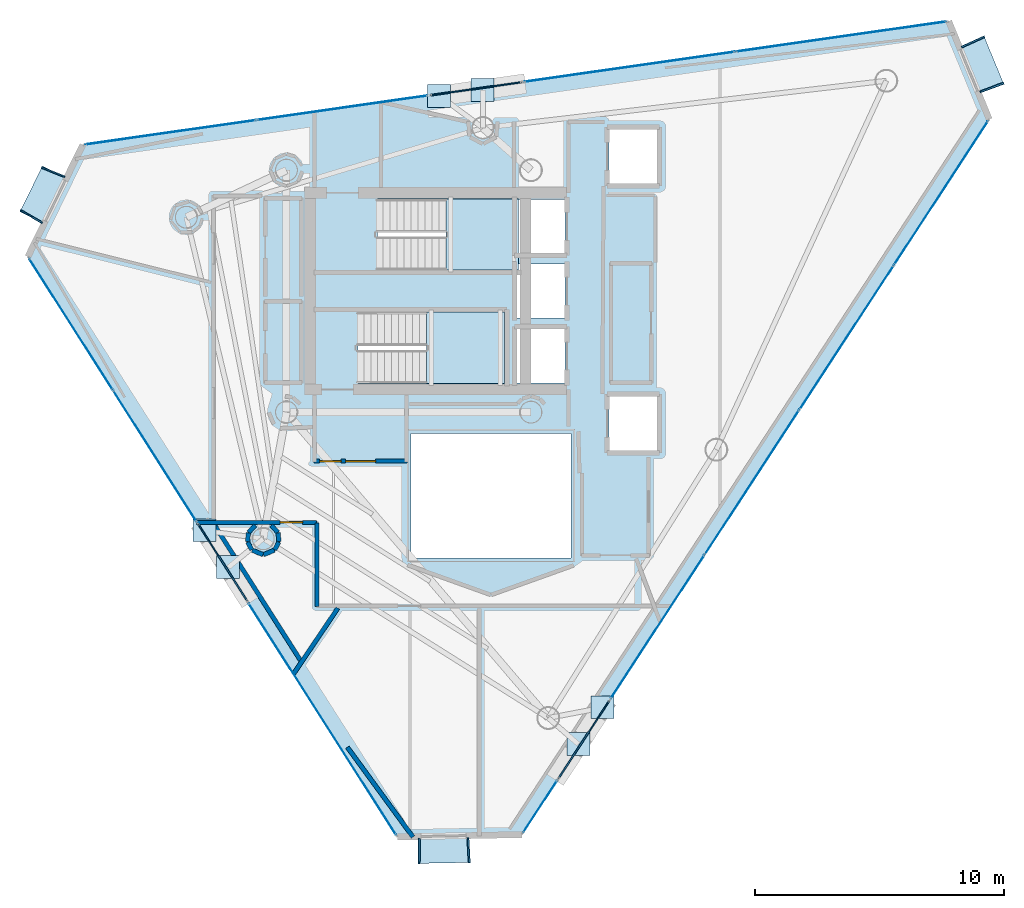
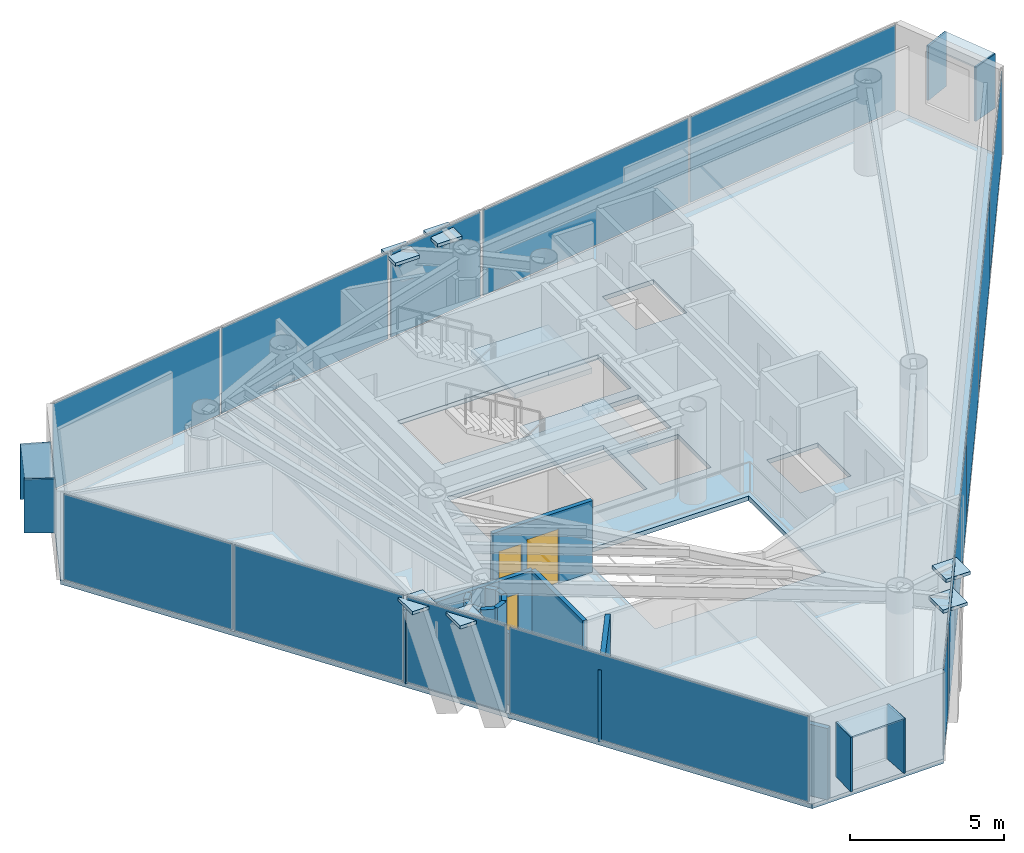
# One storey, part 19 of 25: 30 plates, 14 walls, 3 doors, 3 slabs, 3 openings, 11 elements without a shape of their own.
"""IFC4 building model written with IfcOpenShell, lengths in metres."""

from ifc_helpers import new_model, si_unit, direction, frame, frame_2d, origin, origin_2d, place, context, subcontext, project, spatial, polyline, rectangle, outline, extrude, material, layer, layer_set, type_object, element, fill, aggregate, save


model = new_model("IFC4")

# Units and contexts
model_context = context("Model", 3, precision=1e-05, world=origin(), true_north=direction((0.0, 1.0)))
body_context = subcontext(model_context, "Body", "Model", "MODEL_VIEW")
ifc_project = project(units=[si_unit("LENGTHUNIT", "METRE"), si_unit("AREAUNIT", "SQUARE_METRE"), si_unit("VOLUMEUNIT", "CUBIC_METRE"), si_unit("PLANEANGLEUNIT", "RADIAN"), si_unit("MASSUNIT", "GRAM", prefix="KILO")], contexts=[model_context])

# Site, building, storey
site_placement = place(None, origin())
site = spatial("IfcSite", under=ifc_project, at=site_placement, CompositionType="ELEMENT")
building_placement = place(site_placement, origin())
building = spatial("IfcBuilding", under=site, at=building_placement, Name="Qianvela Tower", CompositionType="ELEMENT")
storey_placement = place(building_placement, frame((0.0, 0.0, 288.0)))
storey = spatial("IfcBuildingStorey", under=building, at=storey_placement, Name="L74", CompositionType="ELEMENT", Elevation=288.0)

# Curtain wall, plate
ifc_material_1 = material(Name="Anodised Architectural Aluminium and Insulated Spandrel Panel", Category="aluminium")
ifc_layer_1 = layer(ifc_material_1, 0.179931640625)
ifc_layer_set_1 = layer_set([ifc_layer_1], Name="Anodised Architectural Aluminium and Insulated Spandrel Panel")
curtain_wall_type_1 = type_object("IfcCurtainWallType", Name="CW-BRACEBAY", PredefinedType="USERDEFINED", material=ifc_layer_set_1)
curtain_wall_1_placement = place(storey_placement, origin())
curtain_wall_1 = element("IfcCurtainWall", 1, at=curtain_wall_1_placement, inside=storey, type_object=curtain_wall_type_1, Name="L74 CW-BRACEBAY Curtain Wall 02B", ObjectType="CURTAIN_WALL_SYSTEM", PredefinedType="USERDEFINED")
ifc_material_2 = material(Name="Insulated Aluminium Spandrel Panel with Mineral-Wool Backpan", Category="aluminium")
ifc_layer_2 = layer(ifc_material_2, 0.06005859375)
ifc_layer_set_2 = layer_set([ifc_layer_2], Name="Insulated Aluminium Spandrel Panel with Mineral-Wool Backpan")
plate_type_1 = type_object("IfcPlateType", Name="CW-BRACEBAY-PNL", PredefinedType="CURTAIN_PANEL", material=ifc_layer_set_2)
plate_1_placement = place(storey_placement, frame((36.200439453125, 36.814453125, 0.06494140625), z_axis=(0.0, 0.0, 1.0), x_axis=(-0.989954205184, -0.14138837165, 0.0)))
plate_1 = element("IfcPlate", 2, at=plate_1_placement, type_object=plate_type_1, Name="CW-9 panel 1.1", PredefinedType="CURTAIN_PANEL", context=body_context, shape_type="SweptSolid", body=[
    extrude(rectangle(XDim=3.68994140625, YDim=0.06005859375, at=origin_2d()), origin(), (0.0, 0.0, 1.0), 3.389892578125),
])
aggregate(curtain_wall_1, [plate_1])

curtain_wall_2_placement = place(storey_placement, origin())
curtain_wall_2 = element("IfcCurtainWall", 3, at=curtain_wall_2_placement, inside=storey, type_object=curtain_wall_type_1, Name="L74 CW-BRACEBAY Curtain Wall 04B", ObjectType="CURTAIN_WALL_SYSTEM", PredefinedType="USERDEFINED")
plate_2_placement = place(storey_placement, frame((26.041015625, 17.826171875, 0.06494140625), z_axis=(0.0, 0.0, 1.0), x_axis=(0.536981618794, -0.843593943243, 0.0)))
plate_2 = element("IfcPlate", 4, at=plate_2_placement, type_object=plate_type_1, Name="CW-9 panel 1.1", PredefinedType="CURTAIN_PANEL", context=body_context, shape_type="SweptSolid", body=[
    extrude(rectangle(XDim=3.64990234375, YDim=0.06005859375, at=origin_2d()), origin(), (0.0, 0.0, 1.0), 3.389892578125),
])
aggregate(curtain_wall_2, [plate_2])

curtain_wall_3_placement = place(storey_placement, origin())
curtain_wall_3 = element("IfcCurtainWall", 5, at=curtain_wall_3_placement, inside=storey, type_object=curtain_wall_type_1, Name="L74 CW-BRACEBAY Curtain Wall 06B", ObjectType="CURTAIN_WALL_SYSTEM", PredefinedType="USERDEFINED")
plate_3_placement = place(storey_placement, frame((40.522705078125, 10.72021484375, 0.06494140625), z_axis=(0.0, 0.0, 1.0), x_axis=(0.547097405088, 0.837068951369, 0.0)))
plate_3 = element("IfcPlate", 6, at=plate_3_placement, type_object=plate_type_1, Name="CW-9 panel 1.1", PredefinedType="CURTAIN_PANEL", context=body_context, shape_type="SweptSolid", body=[
    extrude(rectangle(XDim=3.699951171875, YDim=0.06005859375, at=origin_2d()), origin(), (0.0, 0.0, 1.0), 3.389892578125),
])
aggregate(curtain_wall_3, [plate_3])

# Curtain wall, plates
ifc_material_3 = material(Name="Anodised Architectural Aluminium and Low-E Glass", Category="aluminium")
ifc_layer_3 = layer(ifc_material_3, 0.14990234375)
ifc_layer_set_3 = layer_set([ifc_layer_3], Name="Anodised Architectural Aluminium and Low-E Glass")
curtain_wall_type_2 = type_object("IfcCurtainWallType", Name="CW-COLIV-Z78", PredefinedType="USERDEFINED", material=ifc_layer_set_3)
curtain_wall_4_placement = place(storey_placement, origin())
curtain_wall_4 = element("IfcCurtainWall", 7, at=curtain_wall_4_placement, inside=storey, type_object=curtain_wall_type_2, Name="L74 CW-COLIV-Z78 Curtain Wall 02A", ObjectType="CURTAIN_WALL_SYSTEM", PredefinedType="USERDEFINED")
ifc_material_4 = material(Name="Double-Silver Low-E Insulated Glass", Category="glass")
ifc_layer_4 = layer(ifc_material_4, 0.02587890625)
ifc_layer_set_4 = layer_set([ifc_layer_4], Name="Double-Silver Low-E Insulated Glass")
plate_type_2 = type_object("IfcPlateType", Name="CW-COLIV-Z78-PNL", PredefinedType="CURTAIN_PANEL", material=ifc_layer_set_4)
plate_4_placement = place(storey_placement, frame((50.83203125, 38.90380859375, 0.06005859375), z_axis=(0.0, 0.0, 1.0), x_axis=(-0.989957990117, -0.14136186828, 0.0)))
plate_4 = element("IfcPlate", 8, at=plate_4_placement, type_object=plate_type_2, Name="CW-6 panel 1.1", PredefinedType="CURTAIN_PANEL", context=body_context, shape_type="SweptSolid", body=[
    extrude(rectangle(XDim=8.5, YDim=0.02587890625, at=origin_2d()), origin(), (0.0, 0.0, 1.0), 3.39990234375),
])
plate_5_placement = place(storey_placement, frame((42.35791015625, 37.69384765625, 0.06005859375), z_axis=(0.0, 0.0, 1.0), x_axis=(-0.989957990117, -0.14136186828, 0.0)))
plate_5 = element("IfcPlate", 9, at=plate_5_placement, type_object=plate_type_2, Name="CW-6 panel 2.1", PredefinedType="CURTAIN_PANEL", context=body_context, shape_type="SweptSolid", body=[
    extrude(rectangle(XDim=8.5, YDim=0.02587890625, at=origin_2d()), origin(), (0.0, 0.0, 1.0), 3.39990234375),
])
aggregate(curtain_wall_4, [plate_4, plate_5])

curtain_wall_5_placement = place(storey_placement, origin())
curtain_wall_5 = element("IfcCurtainWall", 10, at=curtain_wall_5_placement, inside=storey, type_object=curtain_wall_type_2, Name="L74 CW-COLIV-Z78 Curtain Wall 02C", ObjectType="CURTAIN_WALL_SYSTEM", PredefinedType="USERDEFINED")
plate_6_placement = place(storey_placement, frame((30.8388671875, 36.048828125, 0.06005859375), z_axis=(0.0, 0.0, 1.0), x_axis=(-0.989957942117, -0.141362204424, 0.0)))
plate_6 = element("IfcPlate", 11, at=plate_6_placement, type_object=plate_type_2, Name="CW-6 panel 1.1", PredefinedType="CURTAIN_PANEL", context=body_context, shape_type="SweptSolid", body=[
    extrude(rectangle(XDim=6.89208984375, YDim=0.02587890625, at=origin_2d()), origin(), (0.0, 0.0, 1.0), 3.39990234375),
])
plate_7_placement = place(storey_placement, frame((23.95654296875, 35.06591796875, 0.06005859375), z_axis=(0.0, 0.0, 1.0), x_axis=(-0.989957942117, -0.141362204424, 0.0)))
plate_7 = element("IfcPlate", 12, at=plate_7_placement, type_object=plate_type_2, Name="CW-6 panel 2.1", PredefinedType="CURTAIN_PANEL", context=body_context, shape_type="SweptSolid", body=[
    extrude(rectangle(XDim=6.89208984375, YDim=0.02587890625, at=origin_2d()), origin(), (0.0, 0.0, 1.0), 3.39990234375),
])
aggregate(curtain_wall_5, [plate_6, plate_7])

curtain_wall_6_placement = place(storey_placement, origin())
curtain_wall_6 = element("IfcCurtainWall", 13, at=curtain_wall_6_placement, inside=storey, type_object=curtain_wall_type_2, Name="L74 CW-COLIV-Z78 Curtain Wall 04A", ObjectType="CURTAIN_WALL_SYSTEM", PredefinedType="USERDEFINED")
plate_8_placement = place(storey_placement, frame((19.96337890625, 27.373291015625, 0.06005859375), z_axis=(0.0, 0.0, 1.0), x_axis=(0.537007570388, -0.843577423445, 0.0)))
plate_8 = element("IfcPlate", 14, at=plate_8_placement, type_object=plate_type_2, Name="CW-6 panel 1.1", PredefinedType="CURTAIN_PANEL", context=body_context, shape_type="SweptSolid", body=[
    extrude(rectangle(XDim=6.205078125, YDim=0.02587890625, at=origin_2d()), origin(), (0.0, 0.0, 1.0), 3.39990234375),
])
plate_9_placement = place(storey_placement, frame((23.327880859375, 22.08837890625, 0.06005859375), z_axis=(0.0, 0.0, 1.0), x_axis=(0.537007570388, -0.843577423445, 0.0)))
plate_9 = element("IfcPlate", 15, at=plate_9_placement, type_object=plate_type_2, Name="CW-6 panel 2.1", PredefinedType="CURTAIN_PANEL", context=body_context, shape_type="SweptSolid", body=[
    extrude(rectangle(XDim=6.205078125, YDim=0.02587890625, at=origin_2d()), origin(), (0.0, 0.0, 1.0), 3.39990234375),
])
aggregate(curtain_wall_6, [plate_8, plate_9])

# Curtain wall, plate
curtain_wall_7_placement = place(storey_placement, origin())
curtain_wall_7 = element("IfcCurtainWall", 16, at=curtain_wall_7_placement, inside=storey, type_object=curtain_wall_type_2, Name="L74 CW-COLIV-Z78 Curtain Wall 04C", ObjectType="CURTAIN_WALL_SYSTEM", PredefinedType="USERDEFINED")
plate_10_placement = place(storey_placement, frame((30.0380859375, 11.547119140625, 0.06005859375), z_axis=(0.0, 0.0, 1.0), x_axis=(0.537008899436, -0.843576577393, 0.0)))
plate_10 = element("IfcPlate", 17, at=plate_10_placement, type_object=plate_type_2, Name="CW-6 panel 1.1", PredefinedType="CURTAIN_PANEL", context=body_context, shape_type="SweptSolid", body=[
    extrude(rectangle(XDim=10.986572265625, YDim=0.02587890625, at=origin_2d()), origin(), (0.0, 0.0, 1.0), 3.39990234375),
])
aggregate(curtain_wall_7, [plate_10])

curtain_wall_8_placement = place(storey_placement, origin())
curtain_wall_8 = element("IfcCurtainWall", 18, at=curtain_wall_8_placement, inside=storey, type_object=curtain_wall_type_2, Name="L74 CW-COLIV-Z78 Curtain Wall 06A", ObjectType="CURTAIN_WALL_SYSTEM", PredefinedType="USERDEFINED")
plate_11_placement = place(storey_placement, frame((38.769287109375, 8.037353515625, 0.06005859375), z_axis=(0.0, 0.0, 1.0), x_axis=(0.547073901839, 0.837084312317, 0.0)))
plate_11 = element("IfcPlate", 19, at=plate_11_placement, type_object=plate_type_2, Name="CW-6 panel 1.1", PredefinedType="CURTAIN_PANEL", context=body_context, shape_type="SweptSolid", body=[
    extrude(rectangle(XDim=2.4599609375, YDim=0.02587890625, at=origin_2d()), origin(), (0.0, 0.0, 1.0), 3.39990234375),
])
aggregate(curtain_wall_8, [plate_11])

# Curtain wall, plates
curtain_wall_9_placement = place(storey_placement, origin())
curtain_wall_9 = element("IfcCurtainWall", 20, at=curtain_wall_9_placement, inside=storey, type_object=curtain_wall_type_2, Name="L74 CW-COLIV-Z78 Curtain Wall 06C", ObjectType="CURTAIN_WALL_SYSTEM", PredefinedType="USERDEFINED")
plate_12_placement = place(storey_placement, frame((43.4755859375, 15.238525390625, 0.06005859375), z_axis=(0.0, 0.0, 1.0), x_axis=(0.547081230424, 0.837079522696, 0.0)))
plate_12 = element("IfcPlate", 21, at=plate_12_placement, type_object=plate_type_2, Name="CW-6 panel 1.1", PredefinedType="CURTAIN_PANEL", context=body_context, shape_type="SweptSolid", body=[
    extrude(rectangle(XDim=6.84521484375, YDim=0.02587890625, at=origin_2d()), origin(), (0.0, 0.0, 1.0), 3.39990234375),
])
plate_13_placement = place(storey_placement, frame((47.261474609375, 21.03125, 0.06005859375), z_axis=(0.0, 0.0, 1.0), x_axis=(0.547081230424, 0.837079522696, 0.0)))
plate_13 = element("IfcPlate", 22, at=plate_13_placement, type_object=plate_type_2, Name="CW-6 panel 2.1", PredefinedType="CURTAIN_PANEL", context=body_context, shape_type="SweptSolid", body=[
    extrude(rectangle(XDim=6.875244140625, YDim=0.02587890625, at=origin_2d()), origin(), (0.0, 0.0, 1.0), 3.39990234375),
])
plate_14_placement = place(storey_placement, frame((51.0556640625, 26.83642578125, 0.06005859375), z_axis=(0.0, 0.0, 1.0), x_axis=(0.547081230424, 0.837079522696, 0.0)))
plate_14 = element("IfcPlate", 23, at=plate_14_placement, type_object=plate_type_2, Name="CW-6 panel 3.1", PredefinedType="CURTAIN_PANEL", context=body_context, shape_type="SweptSolid", body=[
    extrude(rectangle(XDim=6.875244140625, YDim=0.02587890625, at=origin_2d()), origin(), (0.0, 0.0, 1.0), 3.39990234375),
])
plate_15_placement = place(storey_placement, frame((54.841552734375, 32.62939453125, 0.06005859375), z_axis=(0.0, 0.0, 1.0), x_axis=(0.547081230424, 0.837079522696, 0.0)))
plate_15 = element("IfcPlate", 24, at=plate_15_placement, type_object=plate_type_2, Name="CW-6 panel 4.1", PredefinedType="CURTAIN_PANEL", context=body_context, shape_type="SweptSolid", body=[
    extrude(rectangle(XDim=6.84521484375, YDim=0.02587890625, at=origin_2d()), origin(), (0.0, 0.0, 1.0), 3.39990234375),
])
aggregate(curtain_wall_9, [plate_12, plate_13, plate_14, plate_15])

# Plates
ifc_material_5 = material(Name="Steel Q420GJC", Category="steel")
ifc_layer_5 = layer(ifc_material_5, 0.1298828125)
ifc_layer_set_5 = layer_set([ifc_layer_5], Name="Steel Q420GJC")
plate_type_3 = type_object("IfcPlateType", Name="PT-ENDCAP-130", PredefinedType="USERDEFINED", material=ifc_layer_set_5)
for number, where, z_axis, x_axis, name in (
    (25, (36.45947265625, 36.7705078125, 3.20947265625), (0.0, 0.0, 1.0), (1.0, 0.0, 0.0), "L74 Hollow Section End Cap Plate B"),
    (26, (34.724609375, 36.522705078125, 3.20947265625), (0.0, 0.0, 1.0), (1.0, 0.0, 0.0), "L74 Hollow Section End Cap Plate B"),
    (27, (25.3154296875, 19.115234375, 3.209716796875), (0.0, 0.0, 1.0), (1.0, 0.0, 0.0), "L74 Hollow Section End Cap Plate B"),
    (28, (26.256591796875, 17.63671875, 3.209716796875), (0.0, 0.0, 1.0), (1.0, 0.0, 0.0), "L74 Hollow Section End Cap Plate B"),
    (29, (40.31689453125, 10.551513671875, 3.20947265625), (0.0, 0.0, 1.0), (1.0, 0.0, 0.0), "L74 Hollow Section End Cap Plate B"),
    (30, (41.27587890625, 12.018798828125, 3.20947265625), (0.0, 0.0, 1.0), (1.0, 0.0, 0.0), "L74 Hollow Section End Cap Plate B"),
):
    element("IfcPlate", number, at=place(storey_placement, frame(where, z_axis=z_axis, x_axis=x_axis)), inside=storey, type_object=plate_type_3, Name=name, ObjectType="END_CAP", PredefinedType="USERDEFINED", context=body_context, shape_type="SweptSolid", body=[
        extrude(rectangle(XDim=0.919921875, YDim=0.919921875, at=origin_2d()), origin(), (0.0, 0.0, 1.0), 0.1298828125),
    ])

# Slab
ifc_material_6 = material(Name="Concrete C40", Category="concrete")
ifc_layer_6 = layer(ifc_material_6, 0.179931640625)
ifc_layer_set_6 = layer_set([ifc_layer_6], Name="Concrete C40")
slab_type_1 = type_object("IfcSlabType", Name="SL-FLOOR-180", PredefinedType="FLOOR", material=ifc_layer_set_6)
slab_1_placement = place(storey_placement, frame((0.0, 0.0, -0.179931640625)))
element("IfcSlab", 31, at=slab_1_placement, inside=storey, type_object=slab_type_1, Name="L74 Composite Structural Floor Slab", PredefinedType="FLOOR", context=body_context, shape_type="SweptSolid", body=[
    extrude(outline(polyline([(56.7744140625, 35.58642578125), (55.148193359375, 39.520263671875), (20.436279296875, 34.563232421875), (18.23828125, 30.08349609375), (33.047119140625, 6.8203125), (38.0361328125, 6.915771484375), (56.7744140625, 35.58642578125)]), holes=[polyline([(40.0, 23.0), (33.60009765625, 23.0), (33.60009765625, 18.0), (40.0, 18.0), (40.0, 23.0)]), polyline([(43.4599609375, 24.47998046875), (41.5400390625, 24.47998046875), (41.5400390625, 22.320068359375), (43.4599609375, 22.320068359375), (43.4599609375, 24.47998046875)]), polyline([(39.760009765625, 27.179931640625), (37.840087890625, 27.179931640625), (37.840087890625, 25.02001953125), (39.760009765625, 25.02001953125), (39.760009765625, 27.179931640625)]), polyline([(37.35009765625, 27.860107421875), (31.469970703125, 27.860107421875), (31.469970703125, 25.0), (37.35009765625, 25.0), (37.35009765625, 27.860107421875)]), polyline([(39.760009765625, 27.6201171875), (39.760009765625, 29.780029296875), (37.89990234375, 29.780029296875), (37.89990234375, 30.219970703125), (39.760009765625, 30.219970703125), (39.760009765625, 32.3798828125), (37.89990234375, 32.3798828125), (37.89990234375, 32.39990234375), (32.25, 32.39990234375), (32.25, 29.5400390625), (37.840087890625, 29.5400390625), (37.840087890625, 27.6201171875), (39.760009765625, 27.6201171875)]), polyline([(43.4599609375, 35.179931640625), (41.5400390625, 35.179931640625), (41.5400390625, 33.02001953125), (43.4599609375, 33.02001953125), (43.4599609375, 35.179931640625)])]), origin(), (0.0, 0.0, 1.0), 0.179931640625),
])

# Stair, slab
ifc_material_7 = material(Name="Concrete C40", Category="concrete")
stair_type = type_object("IfcStairType", Name="ST-DOGLEG-1350-R168-N22", PredefinedType="HALF_TURN_STAIR", material=ifc_material_7)
stair_1_placement = place(storey_placement, origin())
stair_1 = element("IfcStair", 32, at=stair_1_placement, inside=storey, type_object=stair_type, Name="L74 Smoke-Proof Core Stair ST-1", PredefinedType="HALF_TURN_STAIR")
ifc_material_8 = material(Name="Concrete C40", Category="concrete")
ifc_layer_7 = layer(ifc_material_8, 0.199951171875)
ifc_layer_set_7 = layer_set([ifc_layer_7], Name="Concrete C40")
slab_type_2 = type_object("IfcSlabType", Name="SL-STAIR-LANDING-200", PredefinedType="LANDING", material=ifc_layer_set_7)
slab_2_placement = place(storey_placement, frame((0.0, 0.0, 1.64990234375)))
slab_2 = element("IfcSlab", 33, at=slab_2_placement, type_object=slab_type_2, Name="ST-1 landing 1", PredefinedType="LANDING", context=body_context, shape_type="SweptSolid", body=[
    extrude(outline(polyline([(35.0, 29.5400390625), (37.89990234375, 29.5400390625), (37.89990234375, 32.39990234375), (35.0, 32.39990234375), (35.0, 29.5400390625)])), origin(), (0.0, 0.0, 1.0), 0.2001953125),
])
aggregate(stair_1, [slab_2])

stair_2_placement = place(storey_placement, origin())
stair_2 = element("IfcStair", 34, at=stair_2_placement, inside=storey, type_object=stair_type, Name="L74 Smoke-Proof Core Stair ST-2", PredefinedType="HALF_TURN_STAIR")
slab_3_placement = place(storey_placement, frame((0.0, 0.0, 1.64990234375)))
slab_3 = element("IfcSlab", 35, at=slab_3_placement, type_object=slab_type_2, Name="ST-2 landing 1", PredefinedType="LANDING", context=body_context, shape_type="SweptSolid", body=[
    extrude(outline(polyline([(34.219970703125, 25.0), (37.35009765625, 25.0), (37.35009765625, 27.860107421875), (34.219970703125, 27.860107421875), (34.219970703125, 25.0)])), origin(), (0.0, 0.0, 1.0), 0.2001953125),
])
aggregate(stair_2, [slab_3])

# Plates
ifc_material_9 = material(Name="Vitrified Architectural Terracotta Panel", Category="masonry")
ifc_layer_8 = layer(ifc_material_9, 0.06005859375)
ifc_layer_set_8 = layer_set([ifc_layer_8], Name="Vitrified Architectural Terracotta Panel")
plate_type_4 = type_object("IfcPlateType", Name="TERRACOTTA-SUNSHADE-HOOD-FOLD-A", PredefinedType="USERDEFINED", material=ifc_layer_set_8)
plate_16_placement = place(storey_placement, frame((18.81201171875, 32.5810546875, 2.9599609375), z_axis=(0.0, 0.0, 1.0), x_axis=(-0.440475126449, -0.89776481496, 0.0)))
element("IfcPlate", 36, at=plate_16_placement, inside=storey, type_object=plate_type_4, Name="L74 Terracotta Sunshade Hood FOLD-A", ObjectType="SUNSHADE", PredefinedType="USERDEFINED", context=body_context, shape_type="SweptSolid", body=[
    extrude(rectangle(XDim=2.0400390625, YDim=0.989990234375, at=origin_2d()), origin(), (0.0, 0.0, 1.0), 0.06005859375),
])
ifc_material_10 = material(Name="Vitrified Architectural Terracotta Panel", Category="masonry")
ifc_layer_9 = layer(ifc_material_10, 0.070068359375)
ifc_layer_set_9 = layer_set([ifc_layer_9], Name="Vitrified Architectural Terracotta Panel")
plate_type_5 = type_object("IfcPlateType", Name="TERRACOTTA-SUNSHADE-HOOD-FOLD-C", PredefinedType="USERDEFINED", material=ifc_layer_set_9)
for number, where, z_axis, x_axis, name in (
    (37, (56.501953125, 37.77685546875, 2.9599609375), (0.0, 0.0, 1.0), (-0.38199479977, 0.924164472888, 0.0), "L74 Terracotta Sunshade Hood FOLD-C"),
    (38, (34.912841796875, 6.27099609375, 2.9599609375), (0.0, 0.0, 1.0), (0.999817617008, 0.019097976871, 0.0), "L74 Terracotta Sunshade Hood FOLD-C"),
):
    element("IfcPlate", number, at=place(storey_placement, frame(where, z_axis=z_axis, x_axis=x_axis)), inside=storey, type_object=plate_type_5, Name=name, ObjectType="SUNSHADE", PredefinedType="USERDEFINED", context=body_context, shape_type="SweptSolid", body=[
        extrude(rectangle(XDim=2.0400390625, YDim=0.989990234375, at=origin_2d()), origin(), (0.0, 0.0, 1.0), 0.06005859375),
    ])
ifc_material_11 = material(Name="Vitrified Architectural Terracotta Side Fin Panel", Category="masonry")
ifc_layer_10 = layer(ifc_material_11, 0.06494140625)
ifc_layer_set_10 = layer_set([ifc_layer_10], Name="Vitrified Architectural Terracotta Side Fin Panel")
plate_type_6 = type_object("IfcPlateType", Name="TERRACOTTA-SUNSHADE-STRUT-FOLD-A", PredefinedType="USERDEFINED", material=ifc_layer_set_10)
for number, where, z_axis, x_axis, name in (
    (39, (19.248291015625, 33.4697265625, 0.85009765625), (0.0, 0.0, 1.0), (-0.376777243436, -0.926303896585, 0.0), "L74 Terracotta Sunshade Side Fin HL FOLD-A"),
    (40, (18.3759765625, 31.692138671875, 0.85009765625), (0.0, 0.0, 1.0), (-0.502027058922, -0.864851913399, 0.0), "L74 Terracotta Sunshade Side Fin HR FOLD-A"),
):
    element("IfcPlate", number, at=place(storey_placement, frame(where, z_axis=z_axis, x_axis=x_axis)), inside=storey, type_object=plate_type_6, Name=name, ObjectType="SUNSHADE", PredefinedType="USERDEFINED", context=body_context, shape_type="SweptSolid", body=[
        extrude(rectangle(XDim=0.06494140625, YDim=1.010009765625, at=origin_2d()), origin(), (0.0, 0.0, 1.0), 2.159912109375),
    ])
ifc_material_12 = material(Name="Vitrified Architectural Terracotta Side Fin Panel", Category="masonry")
ifc_layer_11 = layer(ifc_material_12, 0.074951171875)
ifc_layer_set_11 = layer_set([ifc_layer_11], Name="Vitrified Architectural Terracotta Side Fin Panel")
plate_type_7 = type_object("IfcPlateType", Name="TERRACOTTA-SUNSHADE-STRUT-FOLD-C", PredefinedType="USERDEFINED", material=ifc_layer_set_11)
for number, where, z_axis, x_axis, name in (
    (41, (56.880126953125, 36.86181640625, 0.85009765625), (0.0, 0.0, 1.0), (-0.349509223885, 0.936932923116, 0.0), "L74 Terracotta Sunshade Side Fin HL FOLD-C"),
    (42, (56.123779296875, 38.691650390625, 0.85009765625), (0.0, 0.0, 1.0), (-0.414014973833, 0.910270070606, 0.0), "L74 Terracotta Sunshade Side Fin HR FOLD-C"),
    (43, (33.923095703125, 6.251953125, 0.85009765625), (0.0, 0.0, 1.0), (0.999875064911, -0.015806788728, 0.0), "L74 Terracotta Sunshade Side Fin HL FOLD-C"),
    (44, (35.90283203125, 6.289794921875, 0.85009765625), (0.0, 0.0, 1.0), (0.998542045349, 0.053979474528, 0.0), "L74 Terracotta Sunshade Side Fin HR FOLD-C"),
):
    element("IfcPlate", number, at=place(storey_placement, frame(where, z_axis=z_axis, x_axis=x_axis)), inside=storey, type_object=plate_type_7, Name=name, ObjectType="SUNSHADE", PredefinedType="USERDEFINED", context=body_context, shape_type="SweptSolid", body=[
        extrude(rectangle(XDim=0.074951171875, YDim=1.010009765625, at=origin_2d()), origin(), (0.0, 0.0, 1.0), 2.159912109375),
    ])

# Wall, openings, doors
ifc_material_13 = material(Name="Fire-Rated Gypsum and Concrete Block", Category="concrete")
ifc_layer_12 = layer(ifc_material_13, 0.159912109375)
ifc_layer_set_12 = layer_set([ifc_layer_12], Name="Fire-Rated Gypsum and Concrete Block")
wall_type_1 = type_object("IfcWallType", Name="WT-CORR-160", PredefinedType="PARTITIONING", material=ifc_layer_set_12)
wall_1_placement = place(storey_placement, frame((33.449951171875, 21.881103515625, 0.0), z_axis=(0.0, 0.0, 1.0), x_axis=(-1.0, 0.0, 0.0)))
wall_1 = element("IfcWall", 45, at=wall_1_placement, inside=storey, type_object=wall_type_1, Name="L74 Partition 5", PredefinedType="PARTITIONING", context=body_context, shape_type="SweptSolid", body=[
    extrude(rectangle(XDim=3.75, YDim=0.159912109375, at=frame_2d((1.875, 0.0))), origin(), (0.0, 0.0, 1.0), 2.840087890625),
])
opening_1_placement = place(wall_1_placement, frame((1.27490234375, 0.0, 0.0)))
opening_1 = element("IfcOpeningElement", 46, at=opening_1_placement, cuts=wall_1, Name="Opening D-LB1", PredefinedType="OPENING", context=body_context, shape_type="SweptSolid", body=[
    extrude(rectangle(XDim=1.199951171875, YDim=2.14990234375, at=frame_2d((0.60009765625, 1.074951171875))), frame((0.0, 0.08984375, 0.0), z_axis=(0.0, -1.0, 0.0), x_axis=(1.0, 0.0, 0.0)), (0.0, 0.0, 1.0), 0.179931640625),
])
opening_2_placement = place(wall_1_placement, frame((2.659912109375, 0.0, 0.0)))
opening_2 = element("IfcOpeningElement", 47, at=opening_2_placement, cuts=wall_1, Name="Opening D-LB2", PredefinedType="OPENING", context=body_context, shape_type="SweptSolid", body=[
    extrude(rectangle(XDim=0.860107421875, YDim=2.050048828125, at=frame_2d((0.43017578125, 1.02490234375))), frame((0.0, 0.08984375, 0.0), z_axis=(0.0, -1.0, 0.0), x_axis=(1.0, 0.0, 0.0)), (0.0, 0.0, 1.0), 0.179931640625),
])
ifc_material_14 = material(Name="Glazed Fire-Rated Steel Frame", Category="steel")
door_type_1 = type_object("IfcDoorType", Name="DT-LOBBY-FD90", OperationType="NOTDEFINED", PredefinedType="DOOR", material=ifc_material_14)
door_1_placement = place(opening_1_placement, origin())
door_1 = element("IfcDoor", 48, at=door_1_placement, inside=storey, type_object=door_type_1, Name="L74 Door L74 Firefighting Lobby South to L74 Floor Corridor", OperationType="SINGLE_SWING_RIGHT", OverallHeight=2.14990234375, OverallWidth=1.199951171875, PredefinedType="DOOR", context=body_context, shape_type="SweptSolid", body=[
    extrude(rectangle(XDim=1.199951171875, YDim=2.14990234375, at=frame_2d((0.60009765625, 1.074951171875))), frame((0.0, 0.02490234375, 0.0), z_axis=(0.0, -1.0, 0.0), x_axis=(1.0, 0.0, 0.0)), (0.0, 0.0, 1.0), 0.050048828125),
])
fill(opening_1, door_1)
ifc_material_15 = material(Name="Insulated Steel Fire Door Q355B", Category="steel")
door_type_2 = type_object("IfcDoorType", Name="DT-LOBBY-FD90-860", OperationType="NOTDEFINED", PredefinedType="DOOR", material=ifc_material_15)
door_2_placement = place(opening_2_placement, origin())
door_2 = element("IfcDoor", 49, at=door_2_placement, inside=storey, type_object=door_type_2, Name="L74 Door L74 Firefighting Lobby South to L74 Floor Corridor", OperationType="SINGLE_SWING_RIGHT", OverallHeight=2.050048828125, OverallWidth=0.860107421875, PredefinedType="DOOR", context=body_context, shape_type="SweptSolid", body=[
    extrude(rectangle(XDim=0.860107421875, YDim=2.050048828125, at=frame_2d((0.43017578125, 1.02490234375))), frame((0.0, 0.02490234375, 0.0), z_axis=(0.0, -1.0, 0.0), x_axis=(1.0, 0.0, 0.0)), (0.0, 0.0, 1.0), 0.050048828125),
])
fill(opening_2, door_2)

# Wall
wall_2_placement = place(storey_placement, frame((29.8310546875, 16.050048828125, 0.0), z_axis=(0.0, 0.0, 1.0), x_axis=(0.0, 1.0, 0.0)))
element("IfcWall", 50, at=wall_2_placement, inside=storey, type_object=wall_type_1, Name="L74 Partition 67", PredefinedType="PARTITIONING", context=body_context, shape_type="SweptSolid", body=[
    extrude(rectangle(XDim=3.349853515625, YDim=0.159912109375, at=frame_2d((1.6748046875, 0.0))), origin(), (0.0, 0.0, 1.0), 2.840087890625),
])

# Wall, opening, door
wall_3_placement = place(storey_placement, frame((29.800048828125, 19.430908203125, 0.0), z_axis=(0.0, 0.0, 1.0), x_axis=(-1.0, 0.0, 0.0)))
wall_3 = element("IfcWall", 51, at=wall_3_placement, inside=storey, type_object=wall_type_1, Name="L74 Partition 68", PredefinedType="PARTITIONING", context=body_context, shape_type="SweptSolid", body=[
    extrude(rectangle(XDim=4.800537109375, YDim=0.159912109375, at=frame_2d((2.400390625, 0.0))), origin(), (0.0, 0.0, 1.0), 2.840087890625),
])
opening_3_placement = place(wall_3_placement, frame((0.55029296875, 0.0, 0.0)))
opening_3 = element("IfcOpeningElement", 52, at=opening_3_placement, cuts=wall_3, Name="Opening D-KT1", PredefinedType="OPENING", context=body_context, shape_type="SweptSolid", body=[
    extrude(rectangle(XDim=0.89990234375, YDim=2.10009765625, at=frame_2d((0.449951171875, 1.050048828125))), frame((0.0, 0.08984375, 0.0), z_axis=(0.0, -1.0, 0.0), x_axis=(1.0, 0.0, 0.0)), (0.0, 0.0, 1.0), 0.179931640625),
])
ifc_material_16 = material(Name="Glazed Timber Kitchen Door", Category="wood")
door_type_3 = type_object("IfcDoorType", Name="DT-KITCH-900", OperationType="NOTDEFINED", PredefinedType="DOOR", material=ifc_material_16)
door_3_placement = place(opening_3_placement, origin())
door_3 = element("IfcDoor", 53, at=door_3_placement, inside=storey, type_object=door_type_3, Name="L74 Door Shared Communal Kitchen L74-01 to L74 Floor Corridor", OperationType="SINGLE_SWING_LEFT", OverallHeight=2.10009765625, OverallWidth=0.89990234375, PredefinedType="DOOR", context=body_context, shape_type="SweptSolid", body=[
    extrude(rectangle(XDim=0.89990234375, YDim=2.10009765625, at=frame_2d((0.449951171875, 1.050048828125))), frame((0.0, 0.02490234375, 0.0), z_axis=(0.0, -1.0, 0.0), x_axis=(1.0, 0.0, 0.0)), (0.0, 0.0, 1.0), 0.050048828125),
])
fill(opening_3, door_3)

# Walls
ifc_material_17 = material(Name="Moisture-Resistant Acoustic Plumbing Wall")
ifc_layer_13 = layer(ifc_material_17, 0.175048828125)
ifc_layer_set_13 = layer_set([ifc_layer_13], Name="Moisture-Resistant Acoustic Plumbing Wall")
wall_type_2 = type_object("IfcWallType", Name="WT-PLUMB-175", PredefinedType="PLUMBINGWALL", material=ifc_layer_set_13)
wall_4_placement = place(storey_placement, frame((30.658203125, 15.9873046875, 0.0), z_axis=(0.0, 0.0, 1.0), x_axis=(-0.559194255482, -0.82903666061, 0.0)))
element("IfcWall", 54, at=wall_4_placement, inside=storey, type_object=wall_type_2, Name="L74 Partition 74", PredefinedType="PLUMBINGWALL", context=body_context, shape_type="SweptSolid", body=[
    extrude(rectangle(XDim=3.191162109375, YDim=0.175048828125, at=frame_2d((1.595703125, 0.0))), origin(), (0.0, 0.0, 1.0), 2.840087890625),
])
wall_5_placement = place(storey_placement, frame((29.231201171875, 13.794189453125, 0.0), z_axis=(0.0, 0.0, 1.0), x_axis=(-0.5370149386, 0.843572732916, 0.0)))
element("IfcWall", 55, at=wall_5_placement, inside=storey, type_object=wall_type_2, Name="L74 Partition 75", PredefinedType="PLUMBINGWALL", context=body_context, shape_type="SweptSolid", body=[
    extrude(rectangle(XDim=6.5703125, YDim=0.175048828125, at=frame_2d((3.28515625, 0.0))), origin(), (0.0, 0.0, 1.0), 2.840087890625),
])
wall_6_placement = place(storey_placement, frame((27.347412109375, 19.3056640625, 0.0), z_axis=(0.0, 0.0, 1.0), x_axis=(-0.68932010071, -0.724456899171, 0.0)))
element("IfcWall", 56, at=wall_6_placement, inside=storey, type_object=wall_type_2, Name="L74 Partition 77", PredefinedType="PLUMBINGWALL", context=body_context, shape_type="SweptSolid", body=[
    extrude(rectangle(XDim=0.382080078125, YDim=0.175048828125, at=frame_2d((0.19091796875, 0.0))), origin(), (0.0, 0.0, 1.0), 2.840087890625),
])
wall_7_placement = place(storey_placement, frame((27.07568359375, 19.010498046875, 0.0), z_axis=(0.0, 0.0, 1.0), x_axis=(-0.097865889817, -0.995199611942, 0.0)))
element("IfcWall", 57, at=wall_7_placement, inside=storey, type_object=wall_type_2, Name="L74 Partition 78", PredefinedType="PLUMBINGWALL", context=body_context, shape_type="SweptSolid", body=[
    extrude(rectangle(XDim=0.354248046875, YDim=0.175048828125, at=frame_2d((0.17724609375, 0.0))), origin(), (0.0, 0.0, 1.0), 2.840087890625),
])
wall_8_placement = place(storey_placement, frame((27.04443359375, 18.640380859375, 0.0), z_axis=(0.0, 0.0, 1.0), x_axis=(0.471053526925, -0.882104628019, 0.0)))
element("IfcWall", 58, at=wall_8_placement, inside=storey, type_object=wall_type_2, Name="L74 Partition 79", PredefinedType="PLUMBINGWALL", context=body_context, shape_type="SweptSolid", body=[
    extrude(rectangle(XDim=0.35400390625, YDim=0.175048828125, at=frame_2d((0.177001953125, 0.0))), origin(), (0.0, 0.0, 1.0), 2.840087890625),
])
for number, where, z_axis, x_axis, name in (
    (59, (27.226806640625, 18.31396484375, 0.0), (0.0, 0.0, 1.0), (0.924048683901, -0.382274809242, 0.0), "L74 Partition 80"),
    (60, (27.681884765625, 18.135498046875, 0.0), (0.0, 0.0, 1.0), (0.924048683901, 0.382274809242, 0.0), "L74 Partition 81"),
):
    element("IfcWall", number, at=place(storey_placement, frame(where, z_axis=z_axis, x_axis=x_axis)), inside=storey, type_object=wall_type_2, Name=name, PredefinedType="PLUMBINGWALL", context=body_context, shape_type="SweptSolid", body=[
        extrude(rectangle(XDim=0.466796875, YDim=0.175048828125, at=frame_2d((0.2333984375, 0.0))), origin(), (0.0, 0.0, 1.0), 2.840087890625),
    ])
wall_9_placement = place(storey_placement, frame((28.128662109375, 18.328125, 0.0), z_axis=(0.0, 0.0, 1.0), x_axis=(0.471589913721, 0.881817981942, 0.0)))
element("IfcWall", 61, at=wall_9_placement, inside=storey, type_object=wall_type_2, Name="L74 Partition 82", PredefinedType="PLUMBINGWALL", context=body_context, shape_type="SweptSolid", body=[
    extrude(rectangle(XDim=0.35400390625, YDim=0.175048828125, at=frame_2d((0.177001953125, 0.0))), origin(), (0.0, 0.0, 1.0), 2.840087890625),
])
wall_10_placement = place(storey_placement, frame((28.299072265625, 18.657958984375, 0.0), z_axis=(0.0, 0.0, 1.0), x_axis=(-0.097865889817, 0.995199611942, 0.0)))
element("IfcWall", 62, at=wall_10_placement, inside=storey, type_object=wall_type_2, Name="L74 Partition 83", PredefinedType="PLUMBINGWALL", context=body_context, shape_type="SweptSolid", body=[
    extrude(rectangle(XDim=0.354248046875, YDim=0.175048828125, at=frame_2d((0.17724609375, 0.0))), origin(), (0.0, 0.0, 1.0), 2.840087890625),
])
wall_11_placement = place(storey_placement, frame((28.256103515625, 19.02880859375, 0.0), z_axis=(0.0, 0.0, 1.0), x_axis=(-0.68932010071, 0.724456899171, 0.0)))
element("IfcWall", 63, at=wall_11_placement, inside=storey, type_object=wall_type_2, Name="L74 Partition 84", PredefinedType="PLUMBINGWALL", context=body_context, shape_type="SweptSolid", body=[
    extrude(rectangle(XDim=0.382080078125, YDim=0.175048828125, at=frame_2d((0.19091796875, 0.0))), origin(), (0.0, 0.0, 1.0), 2.840087890625),
])
wall_12_placement = place(storey_placement, frame((33.673828125, 6.815185546875, 0.0), z_axis=(0.0, 0.0, 1.0), x_axis=(-0.590000113251, 0.807403162221, 0.0)))
element("IfcWall", 64, at=wall_12_placement, inside=storey, type_object=wall_type_2, Name="L74 Partition 89 seg 1", PredefinedType="PLUMBINGWALL", context=body_context, shape_type="SweptSolid", body=[
    extrude(rectangle(XDim=4.458251953125, YDim=0.175048828125, at=frame_2d((2.22900390625, 0.0))), origin(), (0.0, 0.0, 1.0), 2.840087890625),
])

save(model, "model.ifc")
